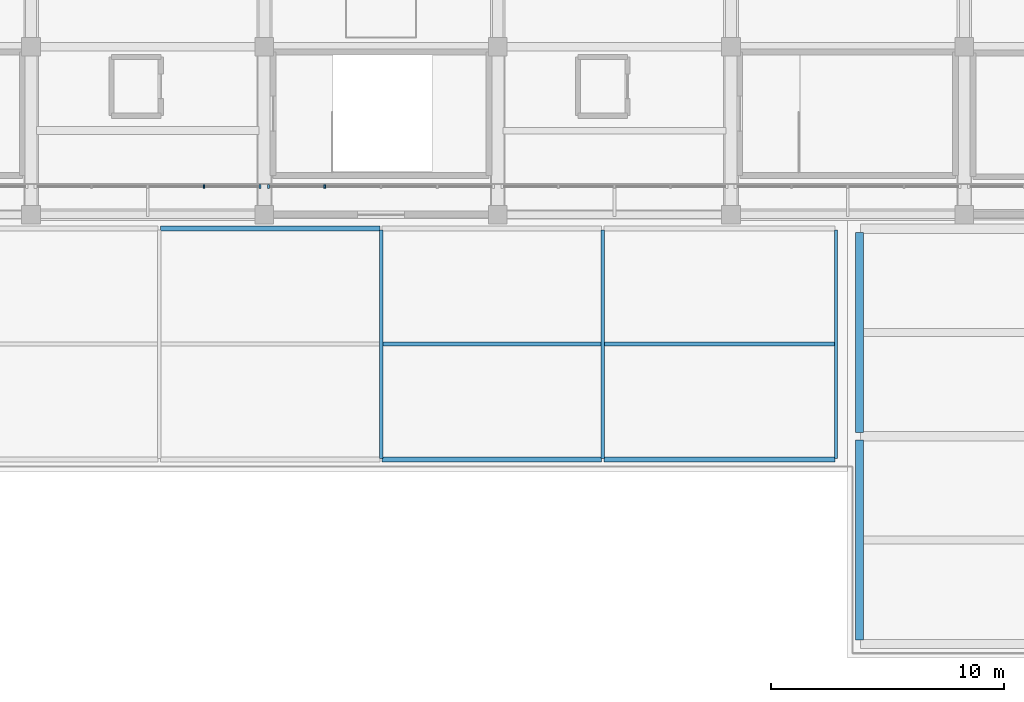
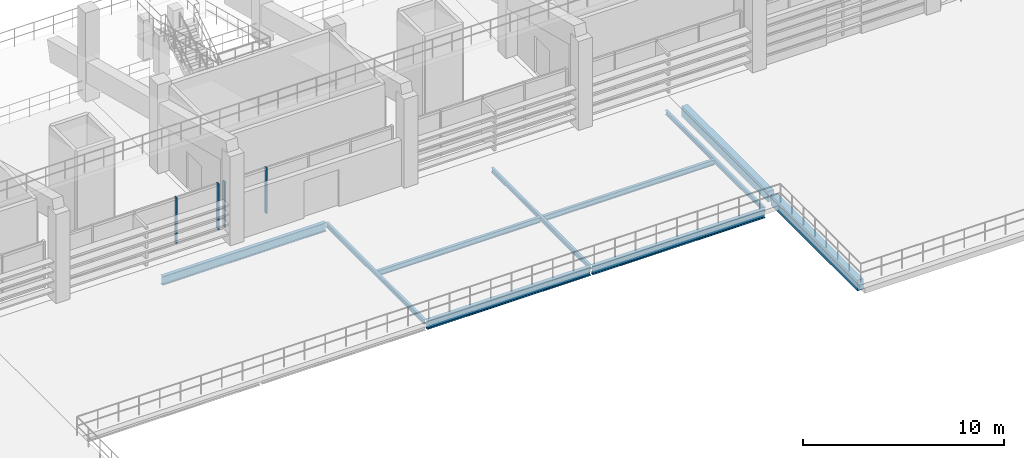
# One storey, part 15 of 96: 10 beams, 4 members, 2 elements without a shape of their own.
"""IFC4 building model written with IfcOpenShell, lengths in metres."""

from ifc_helpers import new_model, si_unit, direction, frame, origin, origin_2d, place, context, subcontext, project, spatial, rectangle, i_section, extrude, material, material_profile, profile_set, type_object, element, aggregate, save


model = new_model("IFC4")

# Units and contexts
model_context = context("Model", 3, precision=1e-05, world=origin(), true_north=direction((0.0, 1.0)))
body_context = subcontext(model_context, "Body", "Model", "MODEL_VIEW")
ifc_project = project(units=[si_unit("LENGTHUNIT", "METRE"), si_unit("AREAUNIT", "SQUARE_METRE"), si_unit("VOLUMEUNIT", "CUBIC_METRE"), si_unit("PLANEANGLEUNIT", "RADIAN"), si_unit("MASSUNIT", "GRAM", prefix="KILO")], contexts=[model_context])

# Site, building, storey
site_placement = place(None, origin())
site = spatial("IfcSite", under=ifc_project, at=site_placement, CompositionType="ELEMENT")
building_placement = place(site_placement, origin())
building = spatial("IfcBuilding", under=site, at=building_placement, Name="Candeia Ridge Stadium", CompositionType="ELEMENT")
storey_placement = place(building_placement, frame((0.0, 0.0, 21.60009765625)))
storey = spatial("IfcBuildingStorey", under=building, at=storey_placement, Name="L04", CompositionType="ELEMENT", Elevation=21.60009765625)

# Beams
ifc_material_1 = material(Name="Steel ASTM A572 Grade 50", Category="steel")
ifc_material_profile_1 = material_profile(ifc_material_1, i_section(OverallWidth=0.14794921875, OverallDepth=0.26611328125, WebThickness=0.007568359375, FlangeThickness=0.012939453125, FilletRadius=0.010986328125, at=origin_2d()), Name="W250x44.8", Category="steel")
ifc_profile_set_1 = profile_set([ifc_material_profile_1], Name="Steel ASTM A572 Grade 50")
beam_type_1 = type_object("IfcBeamType", Name="Canopy Edge Spandrel W250x44.8", PredefinedType="SPANDREL", material=ifc_profile_set_1)
for number, where, z_axis, x_axis, name in (
    (1, (106.0, 8.550048828125, -0.403076171875), (0.0, 1.0, 0.0), (-1.0, 0.0, 0.0), "Structural girder BM-L04-2530"),
    (2, (115.5, 8.550048828125, -0.403076171875), (0.0, 1.0, 0.0), (-1.0, 0.0, 0.0), "Structural girder BM-L04-2531"),
    (3, (125.5, 8.550048828125, -0.4130859375), (0.0, 1.0, 0.0), (-1.0, 0.0, 0.0), "Structural girder BM-L04-2532"),
):
    element("IfcBeam", number, at=place(storey_placement, frame(where, z_axis=z_axis, x_axis=x_axis)), inside=storey, type_object=beam_type_1, Name=name, PredefinedType="SPANDREL", context=body_context, shape_type="SweptSolid", body=[
        extrude(i_section(OverallWidth=0.14794921875, OverallDepth=0.26611328125, WebThickness=0.007568359375, FlangeThickness=0.012939453125, FilletRadius=0.010986328125, at=origin_2d()), origin(), (0.0, 0.0, 1.0), 9.800048828125),
    ])

# Curtain wall, member
ifc_material_2 = material(Name="Aluminium Anodized Warm Bronze", Category="aluminium")
curtain_wall_type = type_object("IfcCurtainWallType", Name="Concourse Recessed Unitised Curtain Wall", PredefinedType="NOTDEFINED", material=ifc_material_2)
curtain_wall_1_placement = place(storey_placement, origin())
curtain_wall_1 = element("IfcCurtainWall", 4, at=curtain_wall_1_placement, inside=storey, type_object=curtain_wall_type, Name="Unitised curtain wall CW-BWL-L04-20", PredefinedType="NOTDEFINED")
ifc_material_profile_2 = material_profile(ifc_material_2, rectangle(XDim=0.090087890625, YDim=0.179931640625, at=origin_2d()), Name="CWM-90x180", Category="aluminium")
ifc_profile_set_2 = profile_set([ifc_material_profile_2], Name="Aluminium Anodized Warm Bronze")
member_type_1 = type_object("IfcMemberType", Name="Curtain Wall Primary Mullion 90x180", PredefinedType="MULLION", material=ifc_profile_set_2)
member_1_placement = place(storey_placement, frame((100.820068359375, 20.199951171875, 0.0), z_axis=(0.0, 0.0, 1.0), x_axis=(1.0, 0.0, 0.0)))
member_1 = element("IfcMember", 5, at=member_1_placement, type_object=member_type_1, Name="Curtain wall mullion CW-BWL-L04-20-M4", PredefinedType="MULLION", context=body_context, shape_type="SweptSolid", body=[
    extrude(rectangle(XDim=0.090087890625, YDim=0.179931640625, at=origin_2d()), origin(), (0.0, 0.0, 1.0), 2.772216796875),
])

curtain_wall_2_placement = place(storey_placement, origin())
curtain_wall_2 = element("IfcCurtainWall", 6, at=curtain_wall_2_placement, inside=storey, type_object=curtain_wall_type, Name="Unitised curtain wall CW-BWL-L04-21", PredefinedType="NOTDEFINED")
member_2_placement = place(storey_placement, frame((101.179931640625, 20.199951171875, 0.0), z_axis=(0.0, 0.0, 1.0), x_axis=(1.0, 0.0, 0.0)))
member_2 = element("IfcMember", 7, at=member_2_placement, type_object=member_type_1, Name="Curtain wall mullion CW-BWL-L04-21-M0", PredefinedType="MULLION", context=body_context, shape_type="SweptSolid", body=[
    extrude(rectangle(XDim=0.090087890625, YDim=0.179931640625, at=origin_2d()), origin(), (0.0, 0.0, 1.0), 2.772216796875),
])

# Member
ifc_material_profile_3 = material_profile(ifc_material_2, rectangle(XDim=0.074951171875, YDim=0.14990234375, at=origin_2d()), Name="CWM-75x150", Category="aluminium")
ifc_profile_set_3 = profile_set([ifc_material_profile_3], Name="Aluminium Anodized Warm Bronze")
member_type_2 = type_object("IfcMemberType", Name="Curtain Wall Secondary Mullion 75x150", PredefinedType="MULLION", material=ifc_profile_set_3)
member_3_placement = place(storey_placement, frame((98.409912109375, 20.199951171875, 0.0), z_axis=(0.0, 0.0, 1.0), x_axis=(1.0, 0.0, 0.0)))
member_3 = element("IfcMember", 8, at=member_3_placement, type_object=member_type_2, Name="Curtain wall mullion CW-BWL-L04-20-M3", PredefinedType="MULLION", context=body_context, shape_type="SweptSolid", body=[
    extrude(rectangle(XDim=0.074951171875, YDim=0.14990234375, at=origin_2d()), origin(), (0.0, 0.0, 1.0), 2.772216796875),
])

aggregate(curtain_wall_1, [member_3, member_1])

member_4_placement = place(storey_placement, frame((103.590087890625, 20.199951171875, 0.0), z_axis=(0.0, 0.0, 1.0), x_axis=(1.0, 0.0, 0.0)))
member_4 = element("IfcMember", 9, at=member_4_placement, type_object=member_type_2, Name="Curtain wall mullion CW-BWL-L04-21-M1", PredefinedType="MULLION", context=body_context, shape_type="SweptSolid", body=[
    extrude(rectangle(XDim=0.074951171875, YDim=0.14990234375, at=origin_2d()), origin(), (0.0, 0.0, 1.0), 2.772216796875),
])

aggregate(curtain_wall_2, [member_2, member_4])

# Beams
ifc_material_profile_4 = material_profile(ifc_material_1, i_section(OverallWidth=0.208984375, OverallDepth=0.532958984375, WebThickness=0.01025390625, FlangeThickness=0.015625, FilletRadius=0.013916015625, at=origin_2d()), Name="W530x92", Category="steel")
ifc_profile_set_4 = profile_set([ifc_material_profile_4], Name="Steel ASTM A572 Grade 50")
beam_type_2 = type_object("IfcBeamType", Name="Gate Portal Girder W530x92", PredefinedType="BEAM", material=ifc_profile_set_4)
for number, where, z_axis, x_axis, name in (
    (10, (96.550048828125, 18.39990234375, -0.53662109375), (1.0, 0.0, 0.0), (0.0, 1.0, 0.0), "Structural girder BM-L04-2538"),
    (11, (106.050048828125, 8.5, -0.53662109375), (1.0, 0.0, 0.0), (0.0, 1.0, 0.0), "Structural girder BM-L04-2539"),
):
    element("IfcBeam", number, at=place(storey_placement, frame(where, z_axis=z_axis, x_axis=x_axis)), inside=storey, type_object=beam_type_2, Name=name, PredefinedType="BEAM", context=body_context, shape_type="SweptSolid", body=[
        extrude(i_section(OverallWidth=0.208984375, OverallDepth=0.532958984375, WebThickness=0.01025390625, FlangeThickness=0.015625, FilletRadius=0.013916015625, at=origin_2d()), origin(), (0.0, 0.0, 1.0), 9.39990234375),
    ])
beam_1_placement = place(storey_placement, frame((115.550048828125, 8.5, -0.546630859375), z_axis=(1.0, 0.0, 0.0), x_axis=(0.0, 1.0, 0.0)))
element("IfcBeam", 12, at=beam_1_placement, inside=storey, type_object=beam_type_2, Name="Structural girder BM-L04-2542", PredefinedType="BEAM", context=body_context, shape_type="SweptSolid", body=[
    extrude(i_section(OverallWidth=0.208984375, OverallDepth=0.532958984375, WebThickness=0.01025390625, FlangeThickness=0.015625, FilletRadius=0.013916015625, at=origin_2d()), origin(), (0.0, 0.0, 1.0), 9.89990234375),
])
ifc_material_profile_5 = material_profile(ifc_material_1, i_section(OverallWidth=0.1669921875, OverallDepth=0.31689453125, WebThickness=0.007568359375, FlangeThickness=0.01318359375, FilletRadius=0.011962890625, at=origin_2d()), Name="W310x52", Category="steel")
ifc_profile_set_5 = profile_set([ifc_material_profile_5], Name="Steel ASTM A572 Grade 50")
beam_type_3 = type_object("IfcBeamType", Name="Pavilion Secondary Joist W310x52", PredefinedType="JOIST", material=ifc_profile_set_5)
beam_2_placement = place(storey_placement, frame((106.073486328125, 13.449951171875, -0.4287109375), z_axis=(1.0, 0.0, 0.0), x_axis=(0.0, 1.0, 0.0)))
element("IfcBeam", 13, at=beam_2_placement, inside=storey, type_object=beam_type_3, Name="Wing secondary joist BM-L04-2540", PredefinedType="JOIST", context=body_context, shape_type="SweptSolid", body=[
    extrude(i_section(OverallWidth=0.1669921875, OverallDepth=0.31689453125, WebThickness=0.007568359375, FlangeThickness=0.01318359375, FilletRadius=0.011962890625, at=origin_2d()), origin(), (0.0, 0.0, 1.0), 9.35302734375),
])
beam_3_placement = place(storey_placement, frame((115.573486328125, 13.449951171875, -0.4384765625), z_axis=(1.0, 0.0, 0.0), x_axis=(0.0, 1.0, 0.0)))
element("IfcBeam", 14, at=beam_3_placement, inside=storey, type_object=beam_type_3, Name="Wing secondary joist BM-L04-2543", PredefinedType="JOIST", context=body_context, shape_type="SweptSolid", body=[
    extrude(i_section(OverallWidth=0.1669921875, OverallDepth=0.31689453125, WebThickness=0.007568359375, FlangeThickness=0.01318359375, FilletRadius=0.011962890625, at=origin_2d()), origin(), (0.0, 0.0, 1.0), 9.85302734375),
])
ifc_material_3 = material(Name="Concrete C40/50", Category="concrete")
ifc_material_profile_6 = material_profile(ifc_material_3, rectangle(XDim=0.35009765625, YDim=0.64990234375, at=origin_2d()), Name="RC350x650", Category="concrete")
ifc_profile_set_6 = profile_set([ifc_material_profile_6], Name="Concrete C40/50")
beam_type_4 = type_object("IfcBeamType", Name="Spandrel Beam RC350x650", PredefinedType="SPANDREL", material=ifc_profile_set_6)
for number, where, z_axis, x_axis, name in (
    (15, (126.5, 0.760009765625, -0.60498046875), (0.0, 1.0, 0.0), (-1.0, 0.0, 0.0), "Structural girder BM-L04-2488"),
    (16, (126.5, 9.659912109375, -0.60498046875), (0.0, 1.0, 0.0), (-1.0, 0.0, 0.0), "Structural girder BM-L04-2489"),
):
    element("IfcBeam", number, at=place(storey_placement, frame(where, z_axis=z_axis, x_axis=x_axis)), inside=storey, type_object=beam_type_4, Name=name, PredefinedType="SPANDREL", context=body_context, shape_type="SweptSolid", body=[
        extrude(rectangle(XDim=0.35009765625, YDim=0.64990234375, at=origin_2d()), origin(), (0.0, 0.0, 1.0), 8.580078125),
    ])

save(model, "model.ifc")
